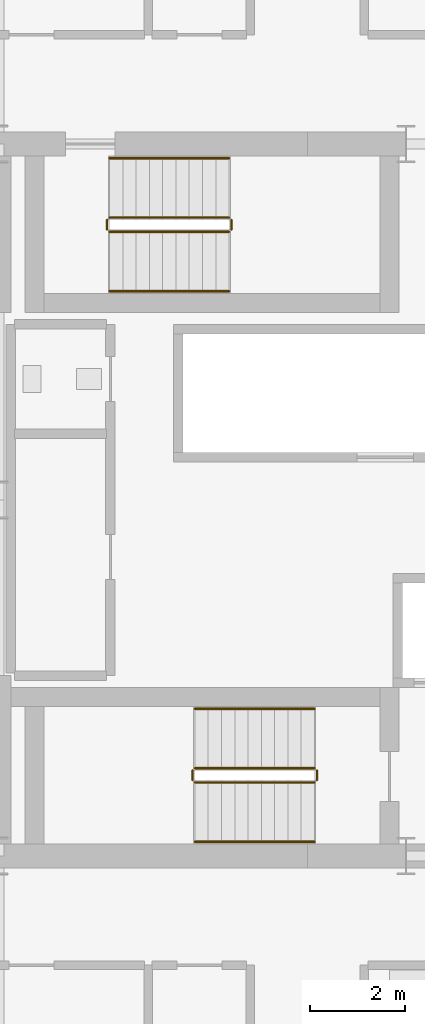
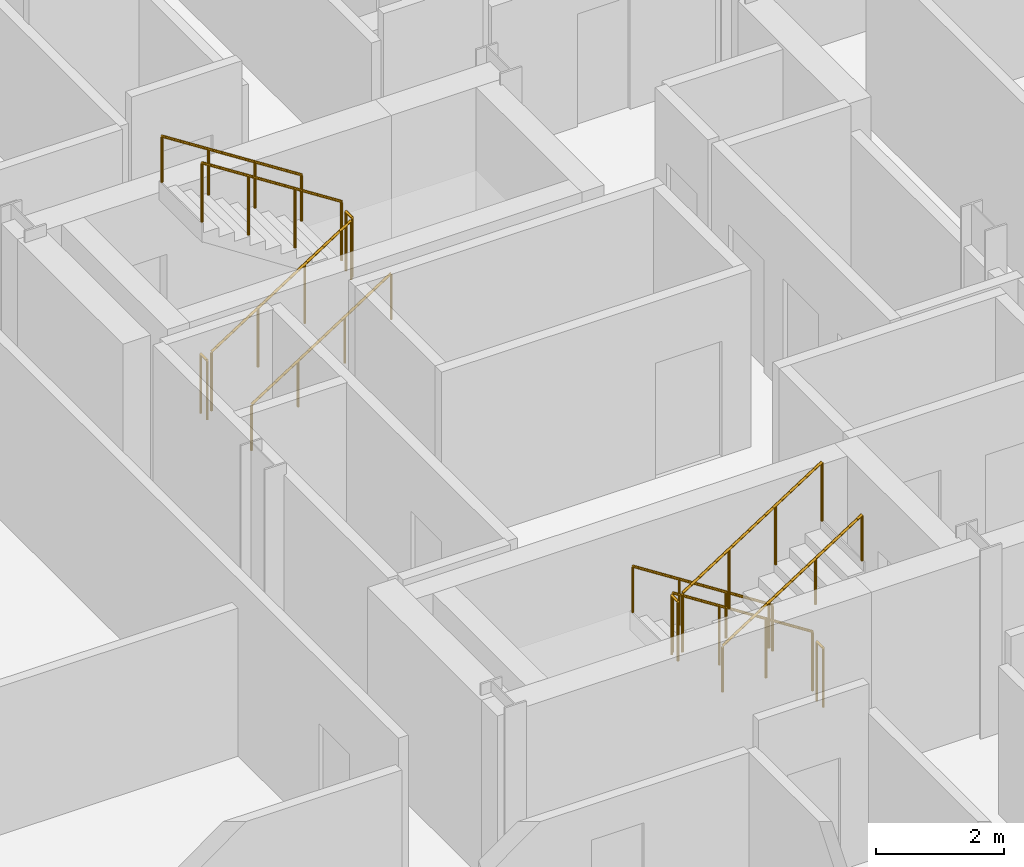
# One storey, part 23 of 24: 12 railings.
"""IFC4 building model written with IfcOpenShell, lengths in metres."""

import ifcopenshell
import ifcopenshell.guid

model = None  # the IFC model being written
_history = None  # IfcOwnerHistory: only IFC2X3 demands one
_inside = {}  # id of a spatial element -> (the spatial element, [elements in it])
_under = {}  # id of a project, library or spatial element -> (it, [spatial elements below it])
_declared = {}  # id of a project -> (the project, [libraries it declares])
_typed = {}  # id of a type object -> (the type object, [elements of that type])
_made_of = {}  # id of a material, layer set ... -> (it, [elements and type objects made of it])


def new_model(schema):
    """Start an empty IFC model of exactly this schema.

    Asked for "IFC4X3", IfcOpenShell would pick the latest addendum, in which some entities
    have other attributes; the version numbers below select the first issue.
    IFC2X3 requires an IfcOwnerHistory on every rooted entity: one is made here for all.
    """
    global model, _history
    if schema == "IFC4X3":
        model = ifcopenshell.file(schema_version=(4, 3, 0, 0))
    else:
        model = ifcopenshell.file(schema=schema)
    _inside.clear()
    _under.clear()
    _declared.clear()
    _typed.clear()
    _made_of.clear()
    _history = None
    if model.schema == "IFC2X3":
        org = make("IfcOrganization", Name="unknown")
        user = make(
            "IfcPersonAndOrganization",
            ThePerson=make("IfcPerson", FamilyName="unknown"),
            TheOrganization=org,
        )
        app = make(
            "IfcApplication",
            ApplicationDeveloper=org,
            Version="unknown",
            ApplicationFullName="unknown",
            ApplicationIdentifier="unknown",
        )
        _history = make(
            "IfcOwnerHistory",
            OwningUser=user,
            OwningApplication=app,
            ChangeAction="ADDED",
            CreationDate=0,
        )
    return model


def make(cls, **values):
    """One entity of the class cls with the attributes given. An attribute that is None is left unset."""
    return model.create_entity(
        cls, **{name: value for name, value in values.items() if value is not None}
    )


def rooted(cls, **values):
    """An entity with a GlobalId (a new one), such as an element, a storey or a relation."""
    return make(cls, GlobalId=ifcopenshell.guid.new(), OwnerHistory=_history, **values)


def si_unit(unit_type, name, prefix=None):
    """IfcSIUnit, for example si_unit("LENGTHUNIT", "METRE", prefix="MILLI")."""
    return make("IfcSIUnit", UnitType=unit_type, Prefix=prefix, Name=name)


def assignment(units):
    """IfcUnitAssignment: the units of a project."""
    return None if units is None else make("IfcUnitAssignment", Units=units)


def point(xyz):
    """IfcCartesianPoint."""
    return None if xyz is None else make("IfcCartesianPoint", Coordinates=xyz)


def direction(xyz):
    """IfcDirection."""
    return None if xyz is None else make("IfcDirection", DirectionRatios=xyz)


def frame(location, z_axis=None, x_axis=None):
    """IfcAxis2Placement3D, a coordinate frame: its origin and axes. An axis left out is left unset."""
    return make(
        "IfcAxis2Placement3D",
        Location=point(location),
        Axis=direction(z_axis),
        RefDirection=direction(x_axis),
    )


def frame_2d(location, x_axis=None):
    """IfcAxis2Placement2D, a coordinate frame in the plane: its origin and x axis."""
    return make(
        "IfcAxis2Placement2D", Location=point(location), RefDirection=direction(x_axis)
    )


def origin():
    """The frame at (0, 0, 0) with its axes left unset."""
    return frame((0.0, 0.0, 0.0))


def origin_2d():
    """The frame at (0, 0) in the plane with its x axis left unset."""
    return frame_2d((0.0, 0.0))


def place(relative_to, where):
    """IfcLocalPlacement: puts the frame where relative to a parent placement (None: the world)."""
    return make(
        "IfcLocalPlacement", PlacementRelTo=relative_to, RelativePlacement=where
    )


def context(
    kind, dimensions, precision=None, world=None, true_north=None, identifier=None
):
    """IfcGeometricRepresentationContext, for example the 3D "Model" context."""
    return make(
        "IfcGeometricRepresentationContext",
        ContextIdentifier=identifier,
        ContextType=kind,
        CoordinateSpaceDimension=dimensions,
        Precision=precision,
        WorldCoordinateSystem=world,
        TrueNorth=true_north,
    )


def subcontext(parent, identifier, kind, view, scale=None):
    """IfcGeometricRepresentationSubContext, for example "Body" below "Model"."""
    return make(
        "IfcGeometricRepresentationSubContext",
        ContextIdentifier=identifier,
        ContextType=kind,
        ParentContext=parent,
        TargetScale=scale,
        TargetView=view,
    )


def project(units=None, contexts=None):
    """IfcProject with its units and contexts."""
    return rooted(
        "IfcProject",
        Name="project",
        RepresentationContexts=contexts,
        UnitsInContext=assignment(units),
    )


def spatial(cls, under=None, at=None, **own):
    """A site, building, storey or space (cls), placed at a placement, below another one or the project."""
    s = rooted(cls, ObjectPlacement=at, **own)
    if under is not None:
        _under.setdefault(under.id(), (under, []))[1].append(s)
    return s


def profile(cls, at=None, kind="AREA", **sizes):
    """A parametric profile (cls). Its sizes go by their IFC names, for example OverallWidth=200.0."""
    return make(cls, ProfileType=kind, Position=at, **sizes)


def circle(**sizes):
    """IfcCircleProfileDef."""
    return profile("IfcCircleProfileDef", **sizes)


def extrude(swept, where, along, depth):
    """IfcExtrudedAreaSolid: the profile swept, set in the frame where, extruded along a direction by depth."""
    return make(
        "IfcExtrudedAreaSolid",
        SweptArea=swept,
        Position=where,
        ExtrudedDirection=direction(along),
        Depth=depth,
    )


def shape(context_of_items, identifier, shape_type, items):
    """IfcShapeRepresentation: the items that make up one representation, for example the "Body"."""
    return make(
        "IfcShapeRepresentation",
        ContextOfItems=context_of_items,
        RepresentationIdentifier=identifier,
        RepresentationType=shape_type,
        Items=items,
    )


def material(Name=None, Category=None):
    """IfcMaterial."""
    return make("IfcMaterial", Name=Name, Category=Category)


def made_of(thing, what):
    """Note that an element or type object is made of a material, layer set ...; save() writes the relation."""
    if what is not None:
        _made_of.setdefault(what.id(), (what, []))[1].append(thing)
    return thing


def type_object(cls, material=None, **own):
    """A type object (cls), such as IfcWallType, which elements share."""
    return made_of(rooted(cls, **own), material)


def element(
    cls,
    number,
    at=None,
    inside=None,
    cuts=None,
    type_object=None,
    material=None,
    context=None,
    identifier="Body",
    shape_type=None,
    held_by="IfcProductDefinitionShape",
    body=None,
    shapes=None,
    **own,
):
    """One element of the class cls, such as IfcWall. Its Tag is "e" and its number.

    at: its placement. inside: the storey or other place that contains it. cuts: it is an
    opening in that element (IfcRelVoidsElement). A single representation is given by context,
    identifier, shape_type and body (its items); several are given by shapes. held_by: the class
    of the entity that holds the representations. save() writes the other relations.
    """
    e = rooted(cls, Tag="e%d" % number, ObjectPlacement=at, **own)
    if body is not None:
        shapes = [shape(context, identifier, shape_type, body)]
    if shapes is not None:
        e.Representation = make(held_by, Representations=shapes)
    if inside is not None:
        _inside.setdefault(inside.id(), (inside, []))[1].append(e)
    if cuts is not None:
        rooted(
            "IfcRelVoidsElement", RelatingBuildingElement=cuts, RelatedOpeningElement=e
        )
    if type_object is not None:
        _typed.setdefault(type_object.id(), (type_object, []))[1].append(e)
    return made_of(e, material)


def aggregate(whole, parts):
    """IfcRelAggregates: a whole, such as a stair, and the parts it consists of."""
    return rooted("IfcRelAggregates", RelatingObject=whole, RelatedObjects=parts)


def save(model, path):
    """Write the relations noted so far, then the file.

    IfcRelAggregates (storeys below a building ...), IfcRelContainedInSpatialStructure (elements
    in a storey), IfcRelDefinesByType, IfcRelAssociatesMaterial and IfcRelDeclares: one each for
    every whole, place, type object, material and project.
    """
    for whole, parts in _under.values():
        aggregate(whole, parts)
    for where, things in _inside.values():
        rooted(
            "IfcRelContainedInSpatialStructure",
            RelatedElements=things,
            RelatingStructure=where,
        )
    for kind, things in _typed.values():
        rooted("IfcRelDefinesByType", RelatedObjects=things, RelatingType=kind)
    for what, things in _made_of.values():
        rooted("IfcRelAssociatesMaterial", RelatedObjects=things, RelatingMaterial=what)
    for by, libraries in _declared.values():
        rooted("IfcRelDeclares", RelatingContext=by, RelatedDefinitions=libraries)
    model.write(path)


model = new_model("IFC4")

# Units and contexts
model_context = context("Model", 3, precision=1e-05, world=origin(), true_north=direction((0.0, 1.0)))
body_context = subcontext(model_context, "Body", "Model", "MODEL_VIEW")
ifc_project = project(units=[si_unit("LENGTHUNIT", "METRE"), si_unit("AREAUNIT", "SQUARE_METRE"), si_unit("VOLUMEUNIT", "CUBIC_METRE"), si_unit("PLANEANGLEUNIT", "RADIAN"), si_unit("MASSUNIT", "GRAM", prefix="KILO")], contexts=[model_context])

# Site, building, storey
site_placement = place(None, origin())
site = spatial("IfcSite", under=ifc_project, at=site_placement, CompositionType="ELEMENT")
building_placement = place(site_placement, origin())
building = spatial("IfcBuilding", under=site, at=building_placement, Name="Barlavira Tower and Art Museum", CompositionType="ELEMENT")
storey_placement = place(building_placement, frame((0.0, 0.0, 180.0)))
storey = spatial("IfcBuildingStorey", under=building, at=storey_placement, Name="L46", CompositionType="ELEMENT", Elevation=180.0)

# Railings
ifc_material = material(Name="Brushed stainless steel", Category="steel")
railing_type_1 = type_object("IfcRailingType", Name="Interior Void and Landing Guard Railing 1150", PredefinedType="GUARDRAIL", material=ifc_material)
railing_1_placement = place(storey_placement, frame((0.14990234375, -5.64990234375, 0.179931640625)))
element("IfcRailing", 1, at=railing_1_placement, inside=storey, type_object=railing_type_1, Name="L46 ST-T1 stair guard 1", PredefinedType="GUARDRAIL", context=body_context, shape_type="SweptSolid", body=[
    extrude(circle(Radius=0.02392578125, at=origin_2d()), frame((0.0, 0.0, 1.1259765625), z_axis=(-0.841162588446, 0.0, 0.540782303519), x_axis=(0.0, -1.0, 0.0)), (0.0, 0.0, 1.0), 2.995849609375),
    extrude(circle(Radius=0.02099609375, at=origin_2d()), origin(), (0.0, 0.0, 1.0), 1.101806640625),
    extrude(circle(Radius=0.02099609375, at=origin_2d()), frame((-0.840087890625, 0.0, 0.5400390625)), (0.0, 0.0, 1.0), 1.101806640625),
    extrude(circle(Radius=0.02099609375, at=origin_2d()), frame((-1.679931640625, 0.0, 1.080078125)), (0.0, 0.0, 1.0), 1.101806640625),
    extrude(circle(Radius=0.02099609375, at=origin_2d()), frame((-2.52001953125, 0.0, 1.6201171875)), (0.0, 0.0, 1.0), 1.101806640625),
])
railing_2_placement = place(storey_placement, frame((-2.419921875, -5.699951171875, 1.800048828125)))
element("IfcRailing", 2, at=railing_2_placement, inside=storey, type_object=railing_type_1, Name="L46 ST-T1 stair guard 2", PredefinedType="GUARDRAIL", context=body_context, shape_type="SweptSolid", body=[
    extrude(circle(Radius=0.02392578125, at=origin_2d()), frame((0.0, 0.0, 1.1259765625), z_axis=(0.0, -1.0, 0.0), x_axis=(1.0, 0.0, 0.0)), (0.0, 0.0, 1.0), 0.199951171875),
    extrude(circle(Radius=0.02099609375, at=origin_2d()), origin(), (0.0, 0.0, 1.0), 1.101806640625),
    extrude(circle(Radius=0.02099609375, at=origin_2d()), frame((0.0, -0.199951171875, 0.0)), (0.0, 0.0, 1.0), 1.101806640625),
])
railing_3_placement = place(storey_placement, frame((-2.3701171875, -5.949951171875, 1.97998046875)))
element("IfcRailing", 3, at=railing_3_placement, inside=storey, type_object=railing_type_1, Name="L46 ST-T1 stair guard 3", PredefinedType="GUARDRAIL", context=body_context, shape_type="SweptSolid", body=[
    extrude(circle(Radius=0.02392578125, at=origin_2d()), frame((0.0, 0.0, 1.1259765625), z_axis=(0.841162588446, 0.0, 0.540782303519), x_axis=(0.0, 1.0, 0.0)), (0.0, 0.0, 1.0), 2.995849609375),
    extrude(circle(Radius=0.02099609375, at=origin_2d()), origin(), (0.0, 0.0, 1.0), 1.101806640625),
    extrude(circle(Radius=0.02099609375, at=origin_2d()), frame((0.840087890625, 0.0, 0.5400390625)), (0.0, 0.0, 1.0), 1.101806640625),
    extrude(circle(Radius=0.02099609375, at=origin_2d()), frame((1.679931640625, 0.0, 1.080078125)), (0.0, 0.0, 1.0), 1.101806640625),
    extrude(circle(Radius=0.02099609375, at=origin_2d()), frame((2.52001953125, 0.0, 1.6201171875)), (0.0, 0.0, 1.0), 1.101806640625),
])
railing_4_placement = place(storey_placement, frame((0.199951171875, -5.699951171875, 0.0)))
element("IfcRailing", 4, at=railing_4_placement, inside=storey, type_object=railing_type_1, Name="L46 ST-T1 stair guard 4", PredefinedType="GUARDRAIL", context=body_context, shape_type="SweptSolid", body=[
    extrude(circle(Radius=0.02392578125, at=origin_2d()), frame((0.0, 0.0, 1.1259765625), z_axis=(0.0, -1.0, 0.0), x_axis=(1.0, 0.0, 0.0)), (0.0, 0.0, 1.0), 0.199951171875),
    extrude(circle(Radius=0.02099609375, at=origin_2d()), origin(), (0.0, 0.0, 1.0), 1.101806640625),
    extrude(circle(Radius=0.02099609375, at=origin_2d()), frame((0.0, -0.199951171875, 0.0)), (0.0, 0.0, 1.0), 1.101806640625),
])
railing_5_placement = place(storey_placement, frame((-4.169921875, 5.64990234375, 0.179931640625)))
element("IfcRailing", 5, at=railing_5_placement, inside=storey, type_object=railing_type_1, Name="L46 ST-T2 stair guard 1", PredefinedType="GUARDRAIL", context=body_context, shape_type="SweptSolid", body=[
    extrude(circle(Radius=0.02392578125, at=origin_2d()), frame((0.0, 0.0, 1.1259765625), z_axis=(0.841162588446, 0.0, 0.540782303519), x_axis=(0.0, 1.0, 0.0)), (0.0, 0.0, 1.0), 2.995849609375),
    extrude(circle(Radius=0.02099609375, at=origin_2d()), origin(), (0.0, 0.0, 1.0), 1.101806640625),
    extrude(circle(Radius=0.02099609375, at=origin_2d()), frame((0.840087890625, 0.0, 0.5400390625)), (0.0, 0.0, 1.0), 1.101806640625),
    extrude(circle(Radius=0.02099609375, at=origin_2d()), frame((1.679931640625, 0.0, 1.080078125)), (0.0, 0.0, 1.0), 1.101806640625),
    extrude(circle(Radius=0.02099609375, at=origin_2d()), frame((2.52001953125, 0.0, 1.6201171875)), (0.0, 0.0, 1.0), 1.101806640625),
])
railing_6_placement = place(storey_placement, frame((-1.60009765625, 5.699951171875, 1.800048828125)))
element("IfcRailing", 6, at=railing_6_placement, inside=storey, type_object=railing_type_1, Name="L46 ST-T2 stair guard 2", PredefinedType="GUARDRAIL", context=body_context, shape_type="SweptSolid", body=[
    extrude(circle(Radius=0.02392578125, at=origin_2d()), frame((0.0, 0.0, 1.1259765625), z_axis=(0.0, 1.0, 0.0), x_axis=(-1.0, 0.0, 0.0)), (0.0, 0.0, 1.0), 0.199951171875),
    extrude(circle(Radius=0.02099609375, at=origin_2d()), origin(), (0.0, 0.0, 1.0), 1.101806640625),
    extrude(circle(Radius=0.02099609375, at=origin_2d()), frame((0.0, 0.199951171875, 0.0)), (0.0, 0.0, 1.0), 1.101806640625),
])
railing_7_placement = place(storey_placement, frame((-1.64990234375, 5.949951171875, 1.97998046875)))
element("IfcRailing", 7, at=railing_7_placement, inside=storey, type_object=railing_type_1, Name="L46 ST-T2 stair guard 3", PredefinedType="GUARDRAIL", context=body_context, shape_type="SweptSolid", body=[
    extrude(circle(Radius=0.02392578125, at=origin_2d()), frame((0.0, 0.0, 1.1259765625), z_axis=(-0.841162588446, 0.0, 0.540782303519), x_axis=(0.0, -1.0, 0.0)), (0.0, 0.0, 1.0), 2.995849609375),
    extrude(circle(Radius=0.02099609375, at=origin_2d()), origin(), (0.0, 0.0, 1.0), 1.101806640625),
    extrude(circle(Radius=0.02099609375, at=origin_2d()), frame((-0.840087890625, 0.0, 0.5400390625)), (0.0, 0.0, 1.0), 1.101806640625),
    extrude(circle(Radius=0.02099609375, at=origin_2d()), frame((-1.679931640625, 0.0, 1.080078125)), (0.0, 0.0, 1.0), 1.101806640625),
    extrude(circle(Radius=0.02099609375, at=origin_2d()), frame((-2.52001953125, 0.0, 1.6201171875)), (0.0, 0.0, 1.0), 1.101806640625),
])
railing_8_placement = place(storey_placement, frame((-4.219970703125, 5.699951171875, 0.0)))
element("IfcRailing", 8, at=railing_8_placement, inside=storey, type_object=railing_type_1, Name="L46 ST-T2 stair guard 4", PredefinedType="GUARDRAIL", context=body_context, shape_type="SweptSolid", body=[
    extrude(circle(Radius=0.02392578125, at=origin_2d()), frame((0.0, 0.0, 1.1259765625), z_axis=(0.0, 1.0, 0.0), x_axis=(-1.0, 0.0, 0.0)), (0.0, 0.0, 1.0), 0.199951171875),
    extrude(circle(Radius=0.02099609375, at=origin_2d()), origin(), (0.0, 0.0, 1.0), 1.101806640625),
    extrude(circle(Radius=0.02099609375, at=origin_2d()), frame((0.0, 0.199951171875, 0.0)), (0.0, 0.0, 1.0), 1.101806640625),
])
railing_type_2 = type_object("IfcRailingType", Name="Stair Pitch Tubular Steel Handrail 920", PredefinedType="HANDRAIL", material=ifc_material)
railing_9_placement = place(storey_placement, frame((0.14990234375, -4.39990234375, 0.179931640625)))
element("IfcRailing", 9, at=railing_9_placement, inside=storey, type_object=railing_type_2, Name="L46 ST-T1 stair handrail 1", PredefinedType="HANDRAIL", context=body_context, shape_type="SweptSolid", body=[
    extrude(circle(Radius=0.02392578125, at=origin_2d()), frame((0.0, 0.0, 0.8759765625), z_axis=(-0.841162588446, 0.0, 0.540782303519), x_axis=(0.0, -1.0, 0.0)), (0.0, 0.0, 1.0), 2.995849609375),
    extrude(circle(Radius=0.02099609375, at=origin_2d()), origin(), (0.0, 0.0, 1.0), 0.851806640625),
    extrude(circle(Radius=0.02099609375, at=origin_2d()), frame((-0.840087890625, 0.0, 0.5400390625)), (0.0, 0.0, 1.0), 0.851806640625),
    extrude(circle(Radius=0.02099609375, at=origin_2d()), frame((-1.679931640625, 0.0, 1.080078125)), (0.0, 0.0, 1.0), 0.851806640625),
    extrude(circle(Radius=0.02099609375, at=origin_2d()), frame((-2.52001953125, 0.0, 1.6201171875)), (0.0, 0.0, 1.0), 0.851806640625),
])
for number, where, name in (
    (10, (-2.3701171875, -7.199951171875, 1.97998046875), "L46 ST-T1 stair handrail 2"),
    (11, (-4.169921875, 4.39990234375, 0.179931640625), "L46 ST-T2 stair handrail 1"),
):
    element("IfcRailing", number, at=place(storey_placement, frame(where)), inside=storey, type_object=railing_type_2, Name=name, PredefinedType="HANDRAIL", context=body_context, shape_type="SweptSolid", body=[
        extrude(circle(Radius=0.02392578125, at=origin_2d()), frame((0.0, 0.0, 0.8759765625), z_axis=(0.841162588446, 0.0, 0.540782303519), x_axis=(0.0, 1.0, 0.0)), (0.0, 0.0, 1.0), 2.995849609375),
        extrude(circle(Radius=0.02099609375, at=origin_2d()), origin(), (0.0, 0.0, 1.0), 0.851806640625),
        extrude(circle(Radius=0.02099609375, at=origin_2d()), frame((0.840087890625, 0.0, 0.5400390625)), (0.0, 0.0, 1.0), 0.851806640625),
        extrude(circle(Radius=0.02099609375, at=origin_2d()), frame((1.679931640625, 0.0, 1.080078125)), (0.0, 0.0, 1.0), 0.851806640625),
        extrude(circle(Radius=0.02099609375, at=origin_2d()), frame((2.52001953125, 0.0, 1.6201171875)), (0.0, 0.0, 1.0), 0.851806640625),
    ])
railing_10_placement = place(storey_placement, frame((-1.64990234375, 7.199951171875, 1.97998046875)))
element("IfcRailing", 12, at=railing_10_placement, inside=storey, type_object=railing_type_2, Name="L46 ST-T2 stair handrail 2", PredefinedType="HANDRAIL", context=body_context, shape_type="SweptSolid", body=[
    extrude(circle(Radius=0.02392578125, at=origin_2d()), frame((0.0, 0.0, 0.8759765625), z_axis=(-0.841162588446, 0.0, 0.540782303519), x_axis=(0.0, -1.0, 0.0)), (0.0, 0.0, 1.0), 2.995849609375),
    extrude(circle(Radius=0.02099609375, at=origin_2d()), origin(), (0.0, 0.0, 1.0), 0.851806640625),
    extrude(circle(Radius=0.02099609375, at=origin_2d()), frame((-0.840087890625, 0.0, 0.5400390625)), (0.0, 0.0, 1.0), 0.851806640625),
    extrude(circle(Radius=0.02099609375, at=origin_2d()), frame((-1.679931640625, 0.0, 1.080078125)), (0.0, 0.0, 1.0), 0.851806640625),
    extrude(circle(Radius=0.02099609375, at=origin_2d()), frame((-2.52001953125, 0.0, 1.6201171875)), (0.0, 0.0, 1.0), 0.851806640625),
])

save(model, "model.ifc")
